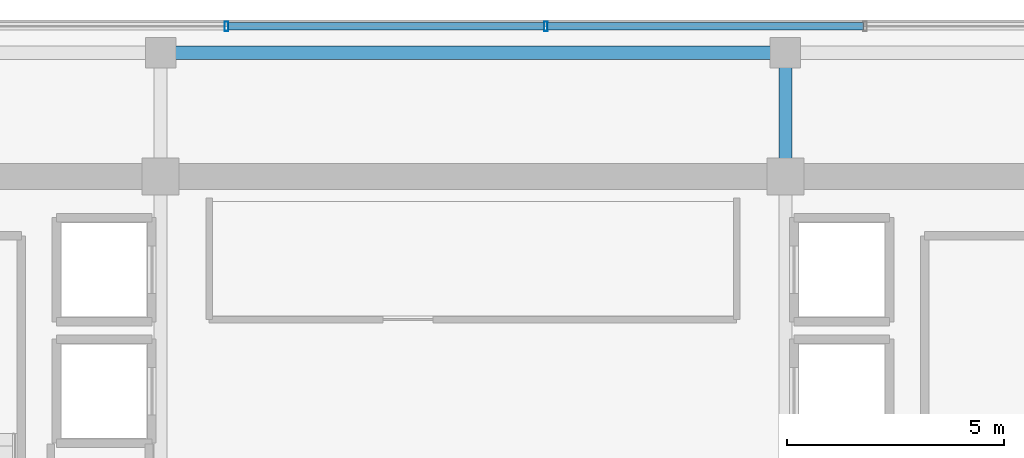
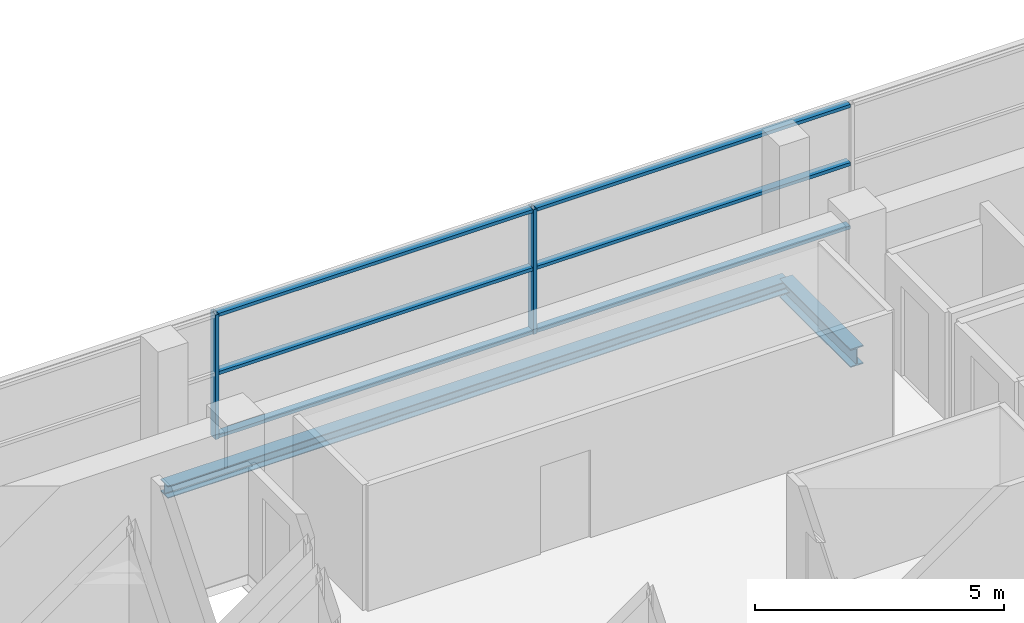
# One storey, part 12 of 22: 8 members, 2 beams, 1 element without a shape of its own.
"""IFC4 building model written with IfcOpenShell, lengths in metres."""

import ifcopenshell
import ifcopenshell.guid

model = None  # the IFC model being written
_history = None  # IfcOwnerHistory: only IFC2X3 demands one
_inside = {}  # id of a spatial element -> (the spatial element, [elements in it])
_under = {}  # id of a project, library or spatial element -> (it, [spatial elements below it])
_declared = {}  # id of a project -> (the project, [libraries it declares])
_typed = {}  # id of a type object -> (the type object, [elements of that type])
_made_of = {}  # id of a material, layer set ... -> (it, [elements and type objects made of it])


def new_model(schema):
    """Start an empty IFC model of exactly this schema.

    Asked for "IFC4X3", IfcOpenShell would pick the latest addendum, in which some entities
    have other attributes; the version numbers below select the first issue.
    IFC2X3 requires an IfcOwnerHistory on every rooted entity: one is made here for all.
    """
    global model, _history
    if schema == "IFC4X3":
        model = ifcopenshell.file(schema_version=(4, 3, 0, 0))
    else:
        model = ifcopenshell.file(schema=schema)
    _inside.clear()
    _under.clear()
    _declared.clear()
    _typed.clear()
    _made_of.clear()
    _history = None
    if model.schema == "IFC2X3":
        org = make("IfcOrganization", Name="unknown")
        user = make(
            "IfcPersonAndOrganization",
            ThePerson=make("IfcPerson", FamilyName="unknown"),
            TheOrganization=org,
        )
        app = make(
            "IfcApplication",
            ApplicationDeveloper=org,
            Version="unknown",
            ApplicationFullName="unknown",
            ApplicationIdentifier="unknown",
        )
        _history = make(
            "IfcOwnerHistory",
            OwningUser=user,
            OwningApplication=app,
            ChangeAction="ADDED",
            CreationDate=0,
        )
    return model


def make(cls, **values):
    """One entity of the class cls with the attributes given. An attribute that is None is left unset."""
    return model.create_entity(
        cls, **{name: value for name, value in values.items() if value is not None}
    )


def rooted(cls, **values):
    """An entity with a GlobalId (a new one), such as an element, a storey or a relation."""
    return make(cls, GlobalId=ifcopenshell.guid.new(), OwnerHistory=_history, **values)


def si_unit(unit_type, name, prefix=None):
    """IfcSIUnit, for example si_unit("LENGTHUNIT", "METRE", prefix="MILLI")."""
    return make("IfcSIUnit", UnitType=unit_type, Prefix=prefix, Name=name)


def assignment(units):
    """IfcUnitAssignment: the units of a project."""
    return None if units is None else make("IfcUnitAssignment", Units=units)


def point(xyz):
    """IfcCartesianPoint."""
    return None if xyz is None else make("IfcCartesianPoint", Coordinates=xyz)


def direction(xyz):
    """IfcDirection."""
    return None if xyz is None else make("IfcDirection", DirectionRatios=xyz)


def frame(location, z_axis=None, x_axis=None):
    """IfcAxis2Placement3D, a coordinate frame: its origin and axes. An axis left out is left unset."""
    return make(
        "IfcAxis2Placement3D",
        Location=point(location),
        Axis=direction(z_axis),
        RefDirection=direction(x_axis),
    )


def frame_2d(location, x_axis=None):
    """IfcAxis2Placement2D, a coordinate frame in the plane: its origin and x axis."""
    return make(
        "IfcAxis2Placement2D", Location=point(location), RefDirection=direction(x_axis)
    )


def origin():
    """The frame at (0, 0, 0) with its axes left unset."""
    return frame((0.0, 0.0, 0.0))


def origin_2d():
    """The frame at (0, 0) in the plane with its x axis left unset."""
    return frame_2d((0.0, 0.0))


def place(relative_to, where):
    """IfcLocalPlacement: puts the frame where relative to a parent placement (None: the world)."""
    return make(
        "IfcLocalPlacement", PlacementRelTo=relative_to, RelativePlacement=where
    )


def context(
    kind, dimensions, precision=None, world=None, true_north=None, identifier=None
):
    """IfcGeometricRepresentationContext, for example the 3D "Model" context."""
    return make(
        "IfcGeometricRepresentationContext",
        ContextIdentifier=identifier,
        ContextType=kind,
        CoordinateSpaceDimension=dimensions,
        Precision=precision,
        WorldCoordinateSystem=world,
        TrueNorth=true_north,
    )


def subcontext(parent, identifier, kind, view, scale=None):
    """IfcGeometricRepresentationSubContext, for example "Body" below "Model"."""
    return make(
        "IfcGeometricRepresentationSubContext",
        ContextIdentifier=identifier,
        ContextType=kind,
        ParentContext=parent,
        TargetScale=scale,
        TargetView=view,
    )


def project(units=None, contexts=None):
    """IfcProject with its units and contexts."""
    return rooted(
        "IfcProject",
        Name="project",
        RepresentationContexts=contexts,
        UnitsInContext=assignment(units),
    )


def spatial(cls, under=None, at=None, **own):
    """A site, building, storey or space (cls), placed at a placement, below another one or the project."""
    s = rooted(cls, ObjectPlacement=at, **own)
    if under is not None:
        _under.setdefault(under.id(), (under, []))[1].append(s)
    return s


def profile(cls, at=None, kind="AREA", **sizes):
    """A parametric profile (cls). Its sizes go by their IFC names, for example OverallWidth=200.0."""
    return make(cls, ProfileType=kind, Position=at, **sizes)


def hollow_rectangle(**sizes):
    """IfcRectangleHollowProfileDef."""
    return profile("IfcRectangleHollowProfileDef", **sizes)


def i_section(**sizes):
    """IfcIShapeProfileDef."""
    return profile("IfcIShapeProfileDef", **sizes)


def extrude(swept, where, along, depth):
    """IfcExtrudedAreaSolid: the profile swept, set in the frame where, extruded along a direction by depth."""
    return make(
        "IfcExtrudedAreaSolid",
        SweptArea=swept,
        Position=where,
        ExtrudedDirection=direction(along),
        Depth=depth,
    )


def shape(context_of_items, identifier, shape_type, items):
    """IfcShapeRepresentation: the items that make up one representation, for example the "Body"."""
    return make(
        "IfcShapeRepresentation",
        ContextOfItems=context_of_items,
        RepresentationIdentifier=identifier,
        RepresentationType=shape_type,
        Items=items,
    )


def source(mapping_origin, context_of_items, identifier, shape_type, items):
    """IfcRepresentationMap: a shape defined once, which mapped items show again and again."""
    return make(
        "IfcRepresentationMap",
        MappingOrigin=mapping_origin,
        MappedRepresentation=shape(context_of_items, identifier, shape_type, items),
    )


def transform(
    local_origin,
    x_axis=None,
    y_axis=None,
    z_axis=None,
    scale=None,
    scale2=None,
    scale3=None,
    uniform=True,
):
    """IfcCartesianTransformationOperator3D, or its non-uniform kind. x_axis, y_axis, z_axis: its Axis1, 2, 3."""
    if uniform:
        return make(
            "IfcCartesianTransformationOperator3D",
            Axis1=direction(x_axis),
            Axis2=direction(y_axis),
            LocalOrigin=point(local_origin),
            Scale=scale,
            Axis3=direction(z_axis),
        )
    return make(
        "IfcCartesianTransformationOperator3DnonUniform",
        Axis1=direction(x_axis),
        Axis2=direction(y_axis),
        LocalOrigin=point(local_origin),
        Scale=scale,
        Axis3=direction(z_axis),
        Scale2=scale2,
        Scale3=scale3,
    )


def mapped(mapping_source, mapping_target):
    """IfcMappedItem: shows the shape of a source again, moved by a transform."""
    return make(
        "IfcMappedItem", MappingSource=mapping_source, MappingTarget=mapping_target
    )


def material(Name=None, Category=None):
    """IfcMaterial."""
    return make("IfcMaterial", Name=Name, Category=Category)


def layer(
    of_material, thickness, ventilated=None, Name=None, Category=None, Priority=None
):
    """IfcMaterialLayer: one layer of a wall or slab, of a material (None: an air gap)."""
    return make(
        "IfcMaterialLayer",
        Material=of_material,
        LayerThickness=thickness,
        IsVentilated=ventilated,
        Name=Name,
        Category=Category,
        Priority=Priority,
    )


def layer_set(layers, Name=None):
    """IfcMaterialLayerSet."""
    return make("IfcMaterialLayerSet", MaterialLayers=layers, LayerSetName=Name)


def material_profile(
    of_material, cross_section, Name=None, Category=None, Priority=None
):
    """IfcMaterialProfile: a cross section and its material."""
    return make(
        "IfcMaterialProfile",
        Name=Name,
        Material=of_material,
        Profile=cross_section,
        Priority=Priority,
        Category=Category,
    )


def profile_set(profiles, Name=None, composite=None):
    """IfcMaterialProfileSet."""
    return make(
        "IfcMaterialProfileSet",
        Name=Name,
        MaterialProfiles=profiles,
        CompositeProfile=composite,
    )


def made_of(thing, what):
    """Note that an element or type object is made of a material, layer set ...; save() writes the relation."""
    if what is not None:
        _made_of.setdefault(what.id(), (what, []))[1].append(thing)
    return thing


def type_object(cls, material=None, **own):
    """A type object (cls), such as IfcWallType, which elements share."""
    return made_of(rooted(cls, **own), material)


def element(
    cls,
    number,
    at=None,
    inside=None,
    cuts=None,
    type_object=None,
    material=None,
    context=None,
    identifier="Body",
    shape_type=None,
    held_by="IfcProductDefinitionShape",
    body=None,
    shapes=None,
    **own,
):
    """One element of the class cls, such as IfcWall. Its Tag is "e" and its number.

    at: its placement. inside: the storey or other place that contains it. cuts: it is an
    opening in that element (IfcRelVoidsElement). A single representation is given by context,
    identifier, shape_type and body (its items); several are given by shapes. held_by: the class
    of the entity that holds the representations. save() writes the other relations.
    """
    e = rooted(cls, Tag="e%d" % number, ObjectPlacement=at, **own)
    if body is not None:
        shapes = [shape(context, identifier, shape_type, body)]
    if shapes is not None:
        e.Representation = make(held_by, Representations=shapes)
    if inside is not None:
        _inside.setdefault(inside.id(), (inside, []))[1].append(e)
    if cuts is not None:
        rooted(
            "IfcRelVoidsElement", RelatingBuildingElement=cuts, RelatedOpeningElement=e
        )
    if type_object is not None:
        _typed.setdefault(type_object.id(), (type_object, []))[1].append(e)
    return made_of(e, material)


def aggregate(whole, parts):
    """IfcRelAggregates: a whole, such as a stair, and the parts it consists of."""
    return rooted("IfcRelAggregates", RelatingObject=whole, RelatedObjects=parts)


def save(model, path):
    """Write the relations noted so far, then the file.

    IfcRelAggregates (storeys below a building ...), IfcRelContainedInSpatialStructure (elements
    in a storey), IfcRelDefinesByType, IfcRelAssociatesMaterial and IfcRelDeclares: one each for
    every whole, place, type object, material and project.
    """
    for whole, parts in _under.values():
        aggregate(whole, parts)
    for where, things in _inside.values():
        rooted(
            "IfcRelContainedInSpatialStructure",
            RelatedElements=things,
            RelatingStructure=where,
        )
    for kind, things in _typed.values():
        rooted("IfcRelDefinesByType", RelatedObjects=things, RelatingType=kind)
    for what, things in _made_of.values():
        rooted("IfcRelAssociatesMaterial", RelatedObjects=things, RelatingMaterial=what)
    for by, libraries in _declared.values():
        rooted("IfcRelDeclares", RelatingContext=by, RelatedDefinitions=libraries)
    model.write(path)


model = new_model("IFC4")

# Units and contexts
model_context = context("Model", 3, precision=1e-05, world=origin(), true_north=direction((0.0, 1.0)))
body_context = subcontext(model_context, "Body", "Model", "MODEL_VIEW")
ifc_project = project(units=[si_unit("LENGTHUNIT", "METRE"), si_unit("AREAUNIT", "SQUARE_METRE"), si_unit("VOLUMEUNIT", "CUBIC_METRE"), si_unit("PLANEANGLEUNIT", "RADIAN"), si_unit("MASSUNIT", "GRAM", prefix="KILO")], contexts=[model_context])

# Site, building, storey
site_placement = place(None, origin())
site = spatial("IfcSite", under=ifc_project, at=site_placement, CompositionType="ELEMENT")
building_placement = place(site_placement, origin())
building = spatial("IfcBuilding", under=site, at=building_placement, Name="Zarnakvel Exchange Tower", CompositionType="ELEMENT")
storey_placement = place(building_placement, frame((0.0, 0.0, 215.5)))
storey = spatial("IfcBuildingStorey", under=building, at=storey_placement, Name="L60", CompositionType="ELEMENT", Elevation=215.5)

# Beams
ifc_material_1 = material(Name="Steel S355", Category="steel")
ifc_material_profile_1 = material_profile(ifc_material_1, i_section(OverallWidth=0.300048828125, OverallDepth=0.449951171875, WebThickness=0.013916015625, FlangeThickness=0.02587890625, FilletRadius=0.027099609375, at=origin_2d()))
ifc_profile_set_1 = profile_set([ifc_material_profile_1], Name="Steel S355")
beam_type_1 = type_object("IfcBeamType", Name="G-07", PredefinedType="BEAM", material=ifc_profile_set_1)
beam_1_placement = place(storey_placement, frame((7.199951171875, 13.5, -0.449951171875), z_axis=(0.0, 1.0, 0.0), x_axis=(-1.0, 0.0, 0.0)))
element("IfcBeam", 1, at=beam_1_placement, inside=storey, type_object=beam_type_1, Name="L60 Tower N-S Frame Beam", PredefinedType="BEAM", context=body_context, shape_type="SweptSolid", body=[
    extrude(i_section(OverallWidth=0.300048828125, OverallDepth=0.449951171875, WebThickness=0.013916015625, FlangeThickness=0.02587890625, FilletRadius=0.027099609375, at=origin_2d()), origin(), (0.0, 0.0, 1.0), 2.85009765625),
])
ifc_material_profile_2 = material_profile(ifc_material_1, i_section(OverallWidth=0.300048828125, OverallDepth=0.300048828125, WebThickness=0.010986328125, FlangeThickness=0.01904296875, FilletRadius=0.027099609375, at=origin_2d()))
ifc_profile_set_2 = profile_set([ifc_material_profile_2], Name="Steel S355")
beam_type_2 = type_object("IfcBeamType", Name="SP-03", PredefinedType="SPANDREL", material=ifc_profile_set_2)
beam_2_placement = place(storey_placement, frame((-7.199951171875, 16.35009765625, -0.375), z_axis=(1.0, 0.0, 0.0), x_axis=(0.0, 1.0, 0.0)))
element("IfcBeam", 2, at=beam_2_placement, inside=storey, type_object=beam_type_2, Name="L60 Tower E-W Frame Beam", PredefinedType="SPANDREL", context=body_context, shape_type="SweptSolid", body=[
    extrude(i_section(OverallWidth=0.300048828125, OverallDepth=0.300048828125, WebThickness=0.010986328125, FlangeThickness=0.01904296875, FilletRadius=0.027099609375, at=origin_2d()), origin(), (0.0, 0.0, 1.0), 14.39990234375),
])

# Curtain wall, members
ifc_material_2 = material(Name="Architectural Bronze Anodised Aluminium", Category="aluminium")
ifc_layer = layer(ifc_material_2, 0.219970703125)
ifc_layer_set = layer_set([ifc_layer], Name="Architectural Bronze Anodised Aluminium")
curtain_wall_type = type_object("IfcCurtainWallType", Name="CW-03", PredefinedType="NOTDEFINED", material=ifc_layer_set)
curtain_wall_placement = place(storey_placement, origin())
curtain_wall = element("IfcCurtainWall", 3, at=curtain_wall_placement, inside=storey, type_object=curtain_wall_type, Name="L60 Curtain Wall CW-L60-N1 (CW-03)", PredefinedType="NOTDEFINED")
ifc_material_profile_3 = material_profile(ifc_material_2, hollow_rectangle(XDim=0.219970703125, YDim=0.080078125, WallThickness=0.0048828125, at=origin_2d()))
ifc_profile_set_3 = profile_set([ifc_material_profile_3], Name="Architectural Bronze Anodised Aluminium")
member_type_1 = type_object("IfcMemberType", Name="CWM-03", PredefinedType="MULLION", material=ifc_profile_set_3)
shared_shape_1 = source(origin(), body_context, "Body", "SweptSolid", [
    extrude(hollow_rectangle(XDim=0.219970703125, YDim=0.080078125, WallThickness=0.0048828125, at=origin_2d()), origin(), (0.0, 0.0, 1.0), 3.054931640625),
])
member_1_placement = place(storey_placement, frame((-5.679931640625, 16.9599609375, 0.0), z_axis=(0.0, 0.0, 1.0), x_axis=(0.0, 1.0, 0.0)))
member_1 = element("IfcMember", 4, at=member_1_placement, type_object=member_type_1, Name="CW-03 mullion 3", PredefinedType="MULLION", context=body_context, shape_type="MappedRepresentation", body=[
    mapped(shared_shape_1, transform((0.0, 0.0, 0.0), x_axis=(1.0, 0.0, 0.0), y_axis=(0.0, 1.0, 0.0), z_axis=(0.0, 0.0, 1.0), scale=1.0)),
])
member_2_placement = place(storey_placement, frame((1.679931640625, 16.9599609375, 0.0), z_axis=(0.0, 0.0, 1.0), x_axis=(0.0, 1.0, 0.0)))
member_2 = element("IfcMember", 5, at=member_2_placement, type_object=member_type_1, Name="CW-03 mullion 4", PredefinedType="MULLION", context=body_context, shape_type="MappedRepresentation", body=[
    mapped(shared_shape_1, transform((0.0, 0.0, 0.0), x_axis=(1.0, 0.0, 0.0), y_axis=(0.0, 1.0, 0.0), z_axis=(0.0, 0.0, 1.0), scale=1.0)),
])
ifc_material_profile_4 = material_profile(ifc_material_2, hollow_rectangle(XDim=0.179931640625, YDim=0.080078125, WallThickness=0.00390625, at=origin_2d()))
ifc_profile_set_4 = profile_set([ifc_material_profile_4], Name="Architectural Bronze Anodised Aluminium")
member_type_2 = type_object("IfcMemberType", Name="CWT-03", PredefinedType="USERDEFINED", material=ifc_profile_set_4)
shared_shape_2 = source(origin(), body_context, "Body", "SweptSolid", [
    extrude(hollow_rectangle(XDim=0.179931640625, YDim=0.080078125, WallThickness=0.00390625, at=origin_2d()), origin(), (0.0, 0.0, 1.0), 7.280029296875),
])
member_3_placement = place(storey_placement, frame((1.719970703125, 16.9599609375, 0.0400390625), z_axis=(1.0, 0.0, 0.0), x_axis=(0.0, 1.0, 0.0)))
member_3 = element("IfcMember", 6, at=member_3_placement, type_object=member_type_2, Name="CW-03 transom 4.1", ObjectType="TRANSOM", PredefinedType="USERDEFINED", context=body_context, shape_type="MappedRepresentation", body=[
    mapped(shared_shape_2, transform((0.0, 0.0, 0.0), x_axis=(1.0, 0.0, 0.0), y_axis=(0.0, 1.0, 0.0), z_axis=(0.0, 0.0, 1.0), scale=1.0)),
])
member_4_placement = place(storey_placement, frame((1.719970703125, 16.9599609375, 1.588623046875), z_axis=(1.0, 0.0, 0.0), x_axis=(0.0, 1.0, 0.0)))
member_4 = element("IfcMember", 7, at=member_4_placement, type_object=member_type_2, Name="CW-03 transom 4.2", ObjectType="TRANSOM", PredefinedType="USERDEFINED", context=body_context, shape_type="MappedRepresentation", body=[
    mapped(shared_shape_2, transform((0.0, 0.0, 0.0), x_axis=(1.0, 0.0, 0.0), y_axis=(0.0, 1.0, 0.0), z_axis=(0.0, 0.0, 1.0), scale=1.0)),
])
member_5_placement = place(storey_placement, frame((1.719970703125, 16.9599609375, 3.014892578125), z_axis=(1.0, 0.0, 0.0), x_axis=(0.0, 1.0, 0.0)))
member_5 = element("IfcMember", 8, at=member_5_placement, type_object=member_type_2, Name="CW-03 transom 4.3", ObjectType="TRANSOM", PredefinedType="USERDEFINED", context=body_context, shape_type="MappedRepresentation", body=[
    mapped(shared_shape_2, transform((0.0, 0.0, 0.0), x_axis=(1.0, 0.0, 0.0), y_axis=(0.0, 1.0, 0.0), z_axis=(0.0, 0.0, 1.0), scale=1.0)),
])
shared_shape_3 = source(origin(), body_context, "Body", "SweptSolid", [
    extrude(hollow_rectangle(XDim=0.179931640625, YDim=0.080078125, WallThickness=0.00390625, at=origin_2d()), origin(), (0.0, 0.0, 1.0), 7.27978515625),
])
member_6_placement = place(storey_placement, frame((-5.639892578125, 16.9599609375, 0.0400390625), z_axis=(1.0, 0.0, 0.0), x_axis=(0.0, 1.0, 0.0)))
member_6 = element("IfcMember", 9, at=member_6_placement, type_object=member_type_2, Name="CW-03 transom 3.1", ObjectType="TRANSOM", PredefinedType="USERDEFINED", context=body_context, shape_type="MappedRepresentation", body=[
    mapped(shared_shape_3, transform((0.0, 0.0, 0.0), x_axis=(1.0, 0.0, 0.0), y_axis=(0.0, 1.0, 0.0), z_axis=(0.0, 0.0, 1.0), scale=1.0)),
])
member_7_placement = place(storey_placement, frame((-5.639892578125, 16.9599609375, 1.588623046875), z_axis=(1.0, 0.0, 0.0), x_axis=(0.0, 1.0, 0.0)))
member_7 = element("IfcMember", 10, at=member_7_placement, type_object=member_type_2, Name="CW-03 transom 3.2", ObjectType="TRANSOM", PredefinedType="USERDEFINED", context=body_context, shape_type="MappedRepresentation", body=[
    mapped(shared_shape_3, transform((0.0, 0.0, 0.0), x_axis=(1.0, 0.0, 0.0), y_axis=(0.0, 1.0, 0.0), z_axis=(0.0, 0.0, 1.0), scale=1.0)),
])
member_8_placement = place(storey_placement, frame((-5.639892578125, 16.9599609375, 3.014892578125), z_axis=(1.0, 0.0, 0.0), x_axis=(0.0, 1.0, 0.0)))
member_8 = element("IfcMember", 11, at=member_8_placement, type_object=member_type_2, Name="CW-03 transom 3.3", ObjectType="TRANSOM", PredefinedType="USERDEFINED", context=body_context, shape_type="MappedRepresentation", body=[
    mapped(shared_shape_3, transform((0.0, 0.0, 0.0), x_axis=(1.0, 0.0, 0.0), y_axis=(0.0, 1.0, 0.0), z_axis=(0.0, 0.0, 1.0), scale=1.0)),
])
aggregate(curtain_wall, [member_1, member_2, member_6, member_7, member_8, member_3, member_4, member_5])

save(model, "model.ifc")
